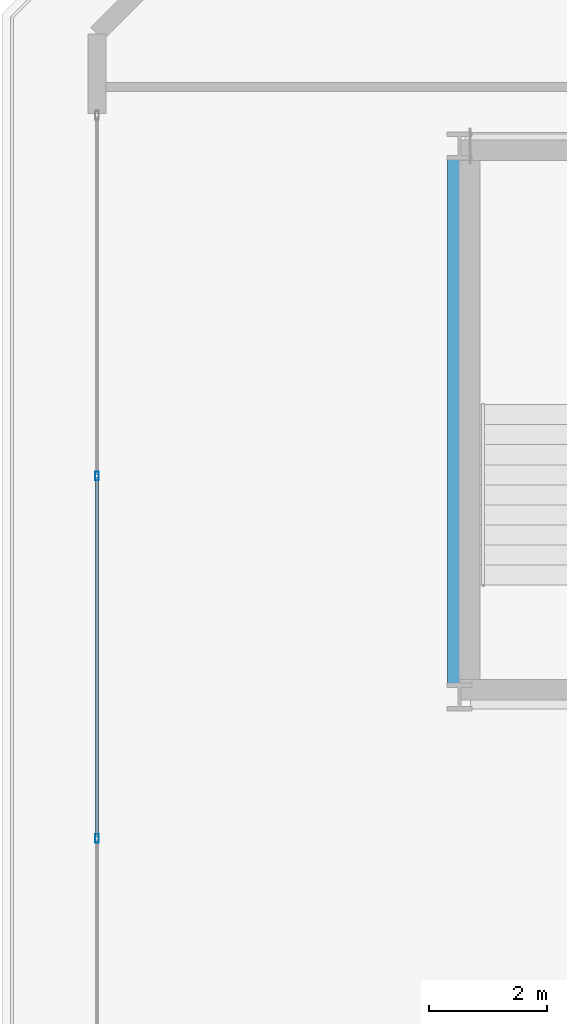
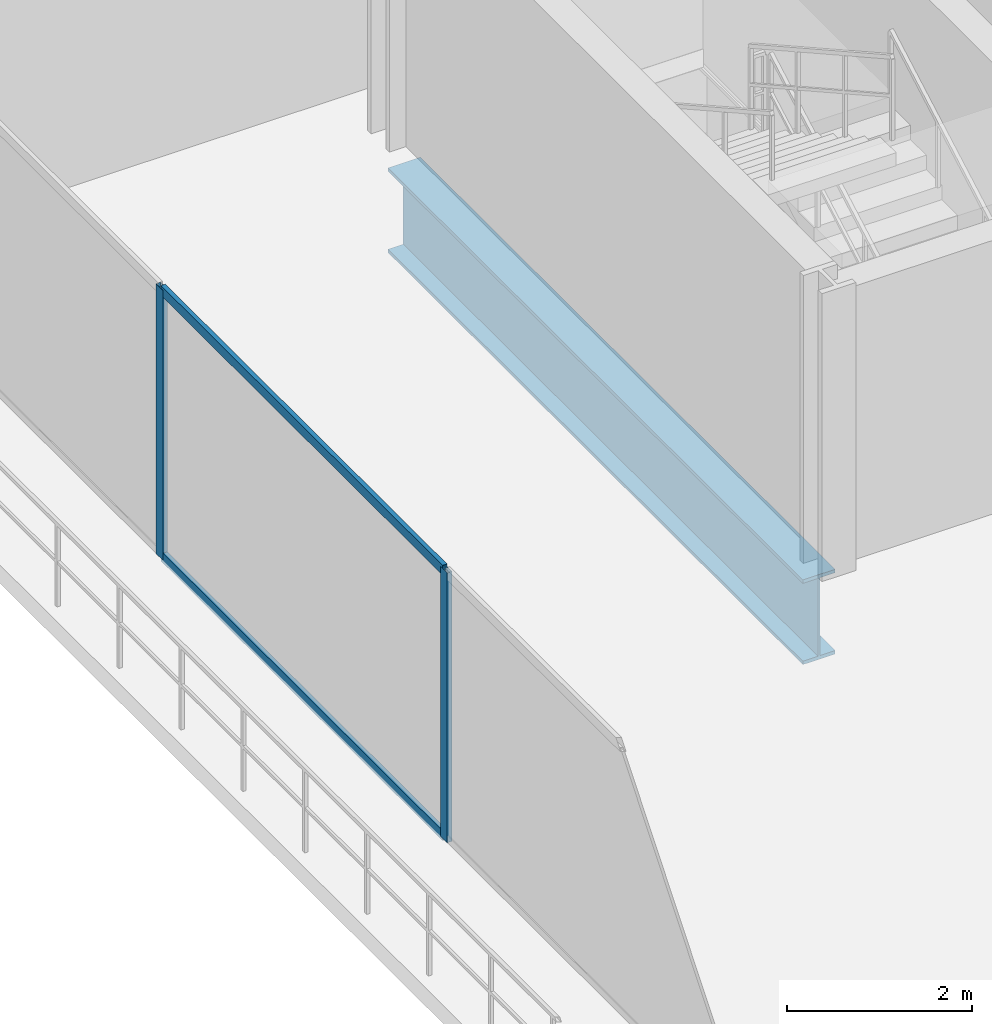
# One storey, part 4 of 16: 4 members, 1 beam, 1 element without a shape of its own.
"""IFC4 building model written with IfcOpenShell, lengths in metres."""

from ifc_helpers import new_model, si_unit, direction, frame, origin, origin_2d, place, context, subcontext, project, spatial, hollow_rectangle, i_section, extrude, material, layer, layer_set, material_profile, profile_set, type_object, element, aggregate, save


model = new_model("IFC4")

# Units and contexts
model_context = context("Model", 3, precision=1e-05, world=origin(), true_north=direction((0.0, 1.0)))
body_context = subcontext(model_context, "Body", "Model", "MODEL_VIEW")
ifc_project = project(units=[si_unit("LENGTHUNIT", "METRE"), si_unit("AREAUNIT", "SQUARE_METRE"), si_unit("VOLUMEUNIT", "CUBIC_METRE"), si_unit("PLANEANGLEUNIT", "RADIAN"), si_unit("MASSUNIT", "GRAM", prefix="KILO")], contexts=[model_context])

# Site, building, storey
site_placement = place(None, origin())
site = spatial("IfcSite", under=ifc_project, at=site_placement, CompositionType="ELEMENT")
building_placement = place(site_placement, origin())
building = spatial("IfcBuilding", under=site, at=building_placement, Name="Zuhayl Quay Hotel", CompositionType="ELEMENT")
storey_placement = place(building_placement, frame((0.0, 0.0, 308.64990234375)))
storey = spatial("IfcBuildingStorey", under=building, at=storey_placement, Name="Crown 4", CompositionType="ELEMENT", Elevation=308.64990234375)

# Beam
ifc_material_1 = material(Name="Steel ASTM A913 Grade 65", Category="steel")
ifc_material_profile_1 = material_profile(ifc_material_1, i_section(OverallWidth=0.404052734375, OverallDepth=1.117919921875, WebThickness=0.026123046875, FlangeThickness=0.044921875, at=origin_2d()), Name="W44X335")
ifc_profile_set_1 = profile_set([ifc_material_profile_1], Name="Steel ASTM A913 Grade 65")
beam_type = type_object("IfcBeamType", Name="BM_TG1_W44X335", PredefinedType="BEAM", material=ifc_profile_set_1)
beam_placement = place(storey_placement, frame((-9.449951171875, 25.2900390625, -0.798828125), z_axis=(0.0, 1.0, 0.0), x_axis=(-1.0, 0.0, 0.0)))
element("IfcBeam", 1, at=beam_placement, inside=storey, type_object=beam_type, Name="Crown 4 Floor Beam CR_NS_4_1", PredefinedType="BEAM", context=body_context, shape_type="SweptSolid", body=[
    extrude(i_section(OverallWidth=0.404052734375, OverallDepth=1.117919921875, WebThickness=0.026123046875, FlangeThickness=0.044921875, at=origin_2d()), origin(), (0.0, 0.0, 1.0), 8.969970703125),
])

# Curtain wall, members
ifc_material_2 = material(Name="Anodised Aluminium 6063-T6", Category="aluminium")
ifc_layer = layer(ifc_material_2, 0.159912109375, Name="Anodised Aluminium 6063-T6", Category="aluminium")
ifc_layer_set = layer_set([ifc_layer], Name="Anodised Aluminium 6063-T6")
curtain_wall_type = type_object("IfcCurtainWallType", Name="CW_SYS_CRN", PredefinedType="USERDEFINED", material=ifc_layer_set)
curtain_wall_placement = place(storey_placement, origin())
curtain_wall = element("IfcCurtainWall", 2, at=curtain_wall_placement, inside=storey, type_object=curtain_wall_type, Name="Crown 4 Curtain Wall ENV_CR4_E1_CW1", ObjectType="UNITISED CURTAIN WALL", PredefinedType="USERDEFINED")
ifc_material_3 = material(Name="Black-anodised aluminium 6063-T6", Category="aluminium")
ifc_material_profile_2 = material_profile(ifc_material_3, hollow_rectangle(XDim=0.06005859375, YDim=0.14990234375, WallThickness=0.00341796875, at=origin_2d()), Name="ALU150X60")
ifc_profile_set_2 = profile_set([ifc_material_profile_2], Name="Black-anodised aluminium 6063-T6")
member_type_1 = type_object("IfcMemberType", Name="MB_CW_MUL_150", PredefinedType="MULLION", material=ifc_profile_set_2)
member_1_placement = place(storey_placement, frame((-15.60009765625, 22.699951171875, 0.0), z_axis=(0.0, 0.0, 1.0), x_axis=(-1.0, 0.0, 0.0)))
member_1 = element("IfcMember", 3, at=member_1_placement, type_object=member_type_1, Name="CW-CRN mullion 2", PredefinedType="MULLION", context=body_context, shape_type="SweptSolid", body=[
    extrude(hollow_rectangle(XDim=0.06005859375, YDim=0.14990234375, WallThickness=0.00341796875, at=origin_2d()), origin(), (0.0, 0.0, 1.0), 3.56005859375),
])
member_2_placement = place(storey_placement, frame((-15.60009765625, 28.85009765625, 0.0), z_axis=(0.0, 0.0, 1.0), x_axis=(-1.0, 0.0, 0.0)))
member_2 = element("IfcMember", 4, at=member_2_placement, type_object=member_type_1, Name="CW-CRN mullion 3", PredefinedType="MULLION", context=body_context, shape_type="SweptSolid", body=[
    extrude(hollow_rectangle(XDim=0.06005859375, YDim=0.14990234375, WallThickness=0.00341796875, at=origin_2d()), origin(), (0.0, 0.0, 1.0), 3.56005859375),
])
ifc_material_profile_3 = material_profile(ifc_material_3, hollow_rectangle(XDim=0.054931640625, YDim=0.1298828125, WallThickness=0.0029296875, at=origin_2d()), Name="ALU130X55")
ifc_profile_set_3 = profile_set([ifc_material_profile_3], Name="Black-anodised aluminium 6063-T6")
member_type_2 = type_object("IfcMemberType", Name="MB_CW_TRN_130", PredefinedType="USERDEFINED", material=ifc_profile_set_3)
member_3_placement = place(storey_placement, frame((-15.60009765625, 22.72998046875, 0.027587890625), z_axis=(0.0, 1.0, 0.0), x_axis=(-1.0, 0.0, 0.0)))
member_3 = element("IfcMember", 5, at=member_3_placement, type_object=member_type_2, Name="CW-CRN transom 2.1", ObjectType="TRANSOM", PredefinedType="USERDEFINED", context=body_context, shape_type="SweptSolid", body=[
    extrude(hollow_rectangle(XDim=0.054931640625, YDim=0.1298828125, WallThickness=0.0029296875, at=origin_2d()), origin(), (0.0, 0.0, 1.0), 6.090087890625),
])
member_4_placement = place(storey_placement, frame((-15.60009765625, 22.72998046875, 3.53271484375), z_axis=(0.0, 1.0, 0.0), x_axis=(-1.0, 0.0, 0.0)))
member_4 = element("IfcMember", 6, at=member_4_placement, type_object=member_type_2, Name="CW-CRN transom 2.2", ObjectType="TRANSOM", PredefinedType="USERDEFINED", context=body_context, shape_type="SweptSolid", body=[
    extrude(hollow_rectangle(XDim=0.054931640625, YDim=0.1298828125, WallThickness=0.0029296875, at=origin_2d()), origin(), (0.0, 0.0, 1.0), 6.090087890625),
])
aggregate(curtain_wall, [member_1, member_2, member_3, member_4])

save(model, "model.ifc")
